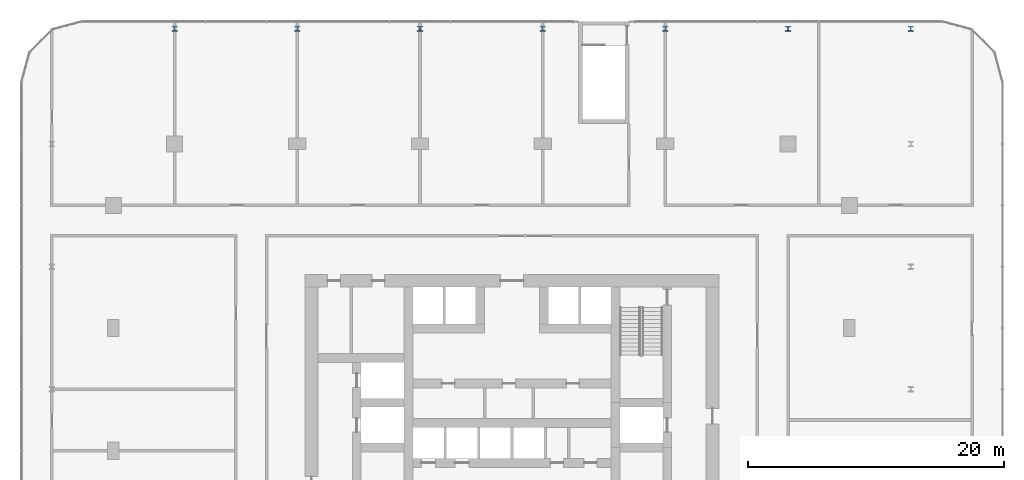
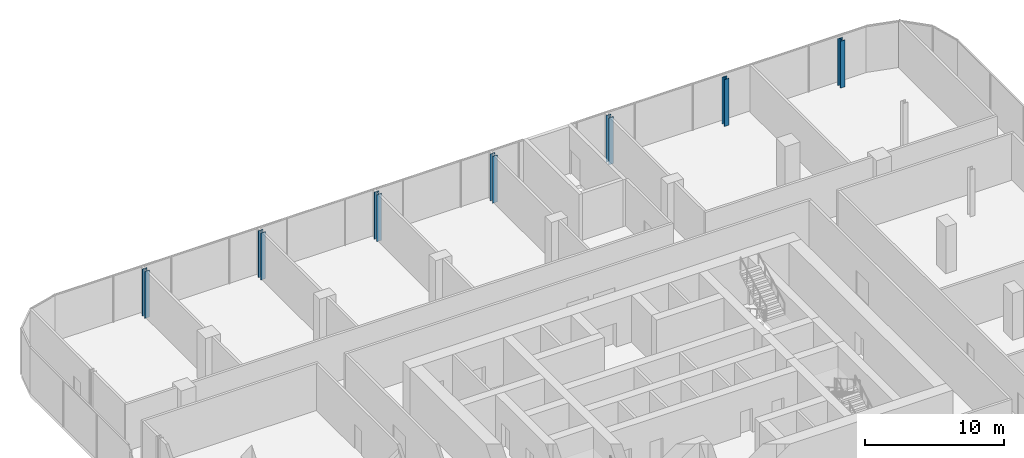
# One storey, part 4 of 32: 7 columns.
"""IFC4 building model written with IfcOpenShell, lengths in metres."""

from ifc_helpers import new_model, si_unit, direction, frame, origin, origin_2d, place, context, subcontext, project, spatial, i_section, extrude, material, material_profile, profile_set, type_object, element, save


model = new_model("IFC4")

# Units and contexts
model_context = context("Model", 3, precision=1e-05, world=origin(), true_north=direction((0.0, 1.0)))
body_context = subcontext(model_context, "Body", "Model", "MODEL_VIEW")
ifc_project = project(units=[si_unit("LENGTHUNIT", "METRE"), si_unit("AREAUNIT", "SQUARE_METRE"), si_unit("VOLUMEUNIT", "CUBIC_METRE"), si_unit("PLANEANGLEUNIT", "RADIAN"), si_unit("MASSUNIT", "GRAM", prefix="KILO")], contexts=[model_context])

# Site, building, storey
site_placement = place(None, origin())
site = spatial("IfcSite", under=ifc_project, at=site_placement, CompositionType="ELEMENT")
building_placement = place(site_placement, origin())
building = spatial("IfcBuilding", under=site, at=building_placement, Name="Madar Terraces", CompositionType="ELEMENT")
storey_placement = place(building_placement, frame((0.0, 0.0, 19.5)))
storey = spatial("IfcBuildingStorey", under=building, at=storey_placement, Name="L04", CompositionType="ELEMENT", Elevation=19.5)

# Columns
ifc_material = material(Name="Steel ASTM A992 Grade 50", Category="steel")
ifc_material_profile = material_profile(ifc_material, i_section(OverallWidth=0.396240234375, OverallDepth=0.381103515625, WebThickness=0.01904296875, FlangeThickness=0.0302734375, at=origin_2d()), Name="W14x159")
ifc_profile_set = profile_set([ifc_material_profile], Name="Steel ASTM A992 Grade 50")
column_type = type_object("IfcColumnType", Name="PC2 W14x159", PredefinedType="COLUMN", material=ifc_profile_set)
for number, where, z_axis, x_axis, name in (
    (1, (4.800048828125, 57.0, 0.0), (0.0, 0.0, 1.0), (1.0, 0.0, 0.0), "Podium column PC2"),
    (2, (14.39990234375, 57.0, 0.0), (0.0, 0.0, 1.0), (1.0, 0.0, 0.0), "Podium column PC2"),
    (3, (24.0, 57.0, 0.0), (0.0, 0.0, 1.0), (1.0, 0.0, 0.0), "Podium column PC2"),
    (4, (33.60009765625, 57.0, 0.0), (0.0, 0.0, 1.0), (1.0, 0.0, 0.0), "Podium column PC2"),
    (5, (43.199951171875, 57.0, 0.0), (0.0, 0.0, 1.0), (1.0, 0.0, 0.0), "Podium column PC2"),
    (6, (52.800048828125, 57.0, 0.0), (0.0, 0.0, 1.0), (1.0, 0.0, 0.0), "Podium column PC2"),
    (7, (62.39990234375, 57.0, 0.0), (0.0, 0.0, 1.0), (1.0, 0.0, 0.0), "Podium column PC2"),
):
    element("IfcColumn", number, at=place(storey_placement, frame(where, z_axis=z_axis, x_axis=x_axis)), inside=storey, type_object=column_type, Name=name, PredefinedType="COLUMN", context=body_context, shape_type="SweptSolid", body=[
        extrude(i_section(OverallWidth=0.396240234375, OverallDepth=0.381103515625, WebThickness=0.01904296875, FlangeThickness=0.0302734375, at=origin_2d()), origin(), (0.0, 0.0, 1.0), 4.10009765625),
    ])

save(model, "model.ifc")
